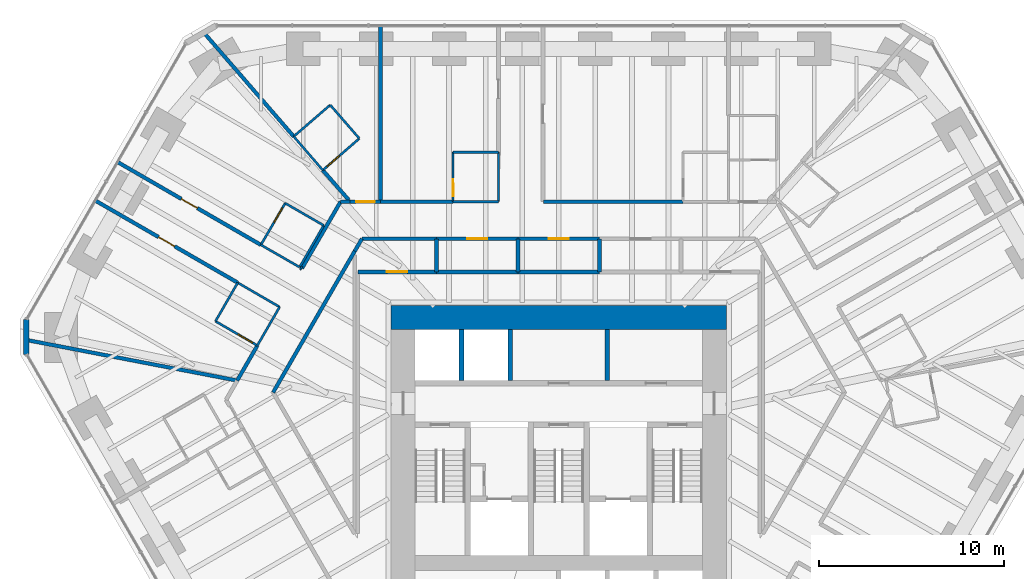
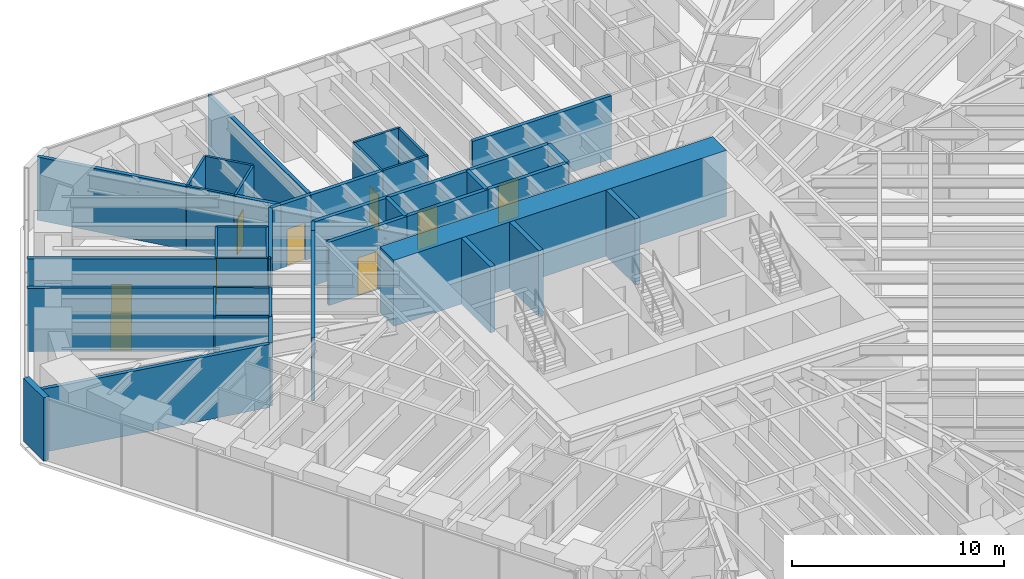
# One storey, part 14 of 17: 45 walls, 10 doors, 10 openings.
"""IFC4 building model written with IfcOpenShell, lengths in metres."""

from ifc_helpers import new_model, si_unit, direction, frame, frame_2d, origin, place, context, subcontext, project, spatial, rectangle, extrude, material, layer, layer_set, type_object, element, fill, save


model = new_model("IFC4")

# Units and contexts
model_context = context("Model", 3, precision=1e-05, world=origin(), true_north=direction((0.0, 1.0)))
body_context = subcontext(model_context, "Body", "Model", "MODEL_VIEW")
ifc_project = project(units=[si_unit("LENGTHUNIT", "METRE"), si_unit("AREAUNIT", "SQUARE_METRE"), si_unit("VOLUMEUNIT", "CUBIC_METRE"), si_unit("PLANEANGLEUNIT", "RADIAN"), si_unit("MASSUNIT", "GRAM", prefix="KILO")], contexts=[model_context])

# Site, building, storey
site_placement = place(None, origin())
site = spatial("IfcSite", under=ifc_project, at=site_placement, CompositionType="ELEMENT")
building_placement = place(site_placement, origin())
building = spatial("IfcBuilding", under=site, at=building_placement, Name="Sandreach Pilgrim Tower", CompositionType="ELEMENT")
storey_placement = place(building_placement, frame((0.0, 0.0, 108.199951171875)))
storey = spatial("IfcBuildingStorey", under=building, at=storey_placement, Name="L26", CompositionType="ELEMENT", Elevation=108.199951171875)

# Wall, opening, door
ifc_material_1 = material(Name="Moisture-resistant gypsum board on steel studs", Category="steel")
ifc_layer_1 = layer(ifc_material_1, 0.1201171875)
ifc_layer_set_1 = layer_set([ifc_layer_1], Name="Bathroom partition 120")
wall_type_1 = type_object("IfcWallType", Name="Bathroom partition 120", PredefinedType="PARTITIONING", material=ifc_layer_set_1)
wall_1_placement = place(storey_placement, frame((-18.52001953125, 6.5400390625, 0.0), z_axis=(0.0, 0.0, 1.0), x_axis=(0.865155281359, -0.50150407689, 0.0)))
wall_1 = element("IfcWall", 1, at=wall_1_placement, inside=storey, type_object=wall_type_1, Name="Bathroom partition L26-012", PredefinedType="PARTITIONING", context=body_context, shape_type="SweptSolid", body=[
    extrude(rectangle(XDim=2.6123046875, YDim=0.1201171875, at=frame_2d((1.30615234375, 0.0))), origin(), (0.0, 0.0, 1.0), 3.64013671875),
])
opening_1_placement = place(wall_1_placement, frame((1.412109375, 0.0, 0.0)))
opening_1 = element("IfcOpeningElement", 2, at=opening_1_placement, cuts=wall_1, Name="Opening D09-16B", PredefinedType="OPENING", context=body_context, shape_type="SweptSolid", body=[
    extrude(rectangle(XDim=0.89990234375, YDim=2.030029296875, at=frame_2d((0.449951171875, 1.01513671875))), frame((0.0, 0.06005859375, 0.0), z_axis=(0.0, -1.0, 0.0), x_axis=(1.0, 0.0, 0.0)), (0.0, 0.0, 1.0), 0.1201171875),
])
ifc_material_2 = material(Name="Timber door, steel frame", Category="steel")
door_type_1 = type_object("IfcDoorType", Name="Bathroom door", OperationType="SINGLE_SWING_LEFT", PredefinedType="DOOR", material=ifc_material_2)
door_1_placement = place(opening_1_placement, origin())
door_1 = element("IfcDoor", 3, at=door_1_placement, inside=storey, type_object=door_type_1, Name="Door 2616B", OperationType="SINGLE_SWING_RIGHT", OverallHeight=2.030029296875, OverallWidth=0.89990234375, PredefinedType="DOOR", context=body_context, shape_type="SweptSolid", body=[
    extrude(rectangle(XDim=0.89990234375, YDim=2.030029296875, at=frame_2d((0.449951171875, 1.01513671875))), frame((0.0, 0.02490234375, 0.0), z_axis=(0.0, -1.0, 0.0), x_axis=(1.0, 0.0, 0.0)), (0.0, 0.0, 1.0), 0.050048828125),
])
fill(opening_1, door_1)

# Walls
wall_2_placement = place(storey_placement, frame((-17.320068359375, 8.6201171875, 0.0), z_axis=(0.0, 0.0, 1.0), x_axis=(-0.499693115345, -0.866202511239, 0.0)))
element("IfcWall", 4, at=wall_2_placement, inside=storey, type_object=wall_type_1, Name="Bathroom partition L26-020", PredefinedType="PARTITIONING", context=body_context, shape_type="SweptSolid", body=[
    extrude(rectangle(XDim=2.4013671875, YDim=0.1201171875, at=frame_2d((1.20068359375, 0.0))), origin(), (0.0, 0.0, 1.0), 3.64013671875),
])
wall_3_placement = place(storey_placement, frame((-17.320068359375, 8.6201171875, 0.0), z_axis=(0.0, 0.0, 1.0), x_axis=(0.865155281359, -0.50150407689, 0.0)))
element("IfcWall", 5, at=wall_3_placement, inside=storey, type_object=wall_type_1, Name="Bathroom partition L26-021", PredefinedType="PARTITIONING", context=body_context, shape_type="SweptSolid", body=[
    extrude(rectangle(XDim=2.6123046875, YDim=0.1201171875, at=frame_2d((1.30615234375, 0.0))), origin(), (0.0, 0.0, 1.0), 3.64013671875),
])
wall_4_placement = place(storey_placement, frame((-16.261474609375, 5.23095703125, 0.0), z_axis=(0.0, 0.0, 1.0), x_axis=(0.500326720225, 0.865836689583, 0.0)))
element("IfcWall", 6, at=wall_4_placement, inside=storey, type_object=wall_type_1, Name="Bathroom partition L26-023", PredefinedType="PARTITIONING", context=body_context, shape_type="SweptSolid", body=[
    extrude(rectangle(XDim=2.4013671875, YDim=0.1201171875, at=frame_2d((1.20068359375, 0.0))), origin(), (0.0, 0.0, 1.0), 3.64013671875),
])
wall_5_placement = place(storey_placement, frame((-16.070068359375, 10.659912109375, 0.0), z_axis=(0.0, 0.0, 1.0), x_axis=(0.866987280299, -0.498330267795, 0.0)))
element("IfcWall", 7, at=wall_5_placement, inside=storey, type_object=wall_type_1, Name="Bathroom partition L26-024", PredefinedType="PARTITIONING", context=body_context, shape_type="SweptSolid", body=[
    extrude(rectangle(XDim=2.409912109375, YDim=0.1201171875, at=frame_2d((1.205078125, 0.0))), origin(), (0.0, 0.0, 1.0), 3.64013671875),
])

# Wall, opening, door
wall_6_placement = place(storey_placement, frame((-14.760009765625, 12.909912109375, 0.0), z_axis=(0.0, 0.0, 1.0), x_axis=(-0.503171227198, -0.864186736834, 0.0)))
wall_6 = element("IfcWall", 8, at=wall_6_placement, inside=storey, type_object=wall_type_1, Name="Bathroom partition L26-027", PredefinedType="PARTITIONING", context=body_context, shape_type="SweptSolid", body=[
    extrude(rectangle(XDim=2.603515625, YDim=0.1201171875, at=frame_2d((1.3017578125, 0.0))), origin(), (0.0, 0.0, 1.0), 3.64013671875),
])
opening_2_placement = place(wall_6_placement, frame((0.300048828125, 0.0, 0.0)))
opening_2 = element("IfcOpeningElement", 9, at=opening_2_placement, cuts=wall_6, Name="Opening D09-17B", PredefinedType="OPENING", context=body_context, shape_type="SweptSolid", body=[
    extrude(rectangle(XDim=0.89990234375, YDim=2.030029296875, at=frame_2d((0.449951171875, 1.01513671875))), frame((0.0, 0.06005859375, 0.0), z_axis=(0.0, -1.0, 0.0), x_axis=(1.0, 0.0, 0.0)), (0.0, 0.0, 1.0), 0.1201171875),
])
door_2_placement = place(opening_2_placement, origin())
door_2 = element("IfcDoor", 10, at=door_2_placement, inside=storey, type_object=door_type_1, Name="Door 2617B", OperationType="SINGLE_SWING_LEFT", OverallHeight=2.030029296875, OverallWidth=0.89990234375, PredefinedType="DOOR", context=body_context, shape_type="SweptSolid", body=[
    extrude(rectangle(XDim=0.89990234375, YDim=2.030029296875, at=frame_2d((0.449951171875, 1.01513671875))), frame((0.0, 0.02490234375, 0.0), z_axis=(0.0, -1.0, 0.0), x_axis=(1.0, 0.0, 0.0)), (0.0, 0.0, 1.0), 0.050048828125),
])
fill(opening_2, door_2)

# Walls
wall_7_placement = place(storey_placement, frame((-14.300048828125, 16.510009765625, 0.0), z_axis=(0.0, 0.0, 1.0), x_axis=(0.653188728136, -0.757195143563, 0.0)))
element("IfcWall", 11, at=wall_7_placement, inside=storey, type_object=wall_type_1, Name="Bathroom partition L26-028", PredefinedType="PARTITIONING", context=body_context, shape_type="SweptSolid", body=[
    extrude(rectangle(XDim=2.40380859375, YDim=0.1201171875, at=frame_2d((1.201904296875, 0.0))), origin(), (0.0, 0.0, 1.0), 3.64013671875),
])
wall_8_placement = place(storey_placement, frame((-13.97998046875, 9.4599609375, 0.0), z_axis=(0.0, 0.0, 1.0), x_axis=(0.500291685314, 0.865856933682, 0.0)))
element("IfcWall", 12, at=wall_8_placement, inside=storey, type_object=wall_type_1, Name="Bathroom partition L26-030", PredefinedType="PARTITIONING", context=body_context, shape_type="SweptSolid", body=[
    extrude(rectangle(XDim=2.5986328125, YDim=0.1201171875, at=frame_2d((1.29931640625, 0.0))), origin(), (0.0, 0.0, 1.0), 3.64013671875),
])

# Wall, opening, door
wall_9_placement = place(storey_placement, frame((-12.72998046875, 14.68994140625, 0.0), z_axis=(0.0, 0.0, 1.0), x_axis=(0.755185511235, 0.655511131576, 0.0)))
wall_9 = element("IfcWall", 13, at=wall_9_placement, inside=storey, type_object=wall_type_1, Name="Bathroom partition L26-035", PredefinedType="PARTITIONING", context=body_context, shape_type="SweptSolid", body=[
    extrude(rectangle(XDim=2.608642578125, YDim=0.1201171875, at=frame_2d((1.30419921875, 0.0))), origin(), (0.0, 0.0, 1.0), 3.64013671875),
])
opening_3_placement = place(wall_9_placement, frame((0.300048828125, 0.0, 0.0)))
opening_3 = element("IfcOpeningElement", 14, at=opening_3_placement, cuts=wall_9, Name="Opening D09-01B", PredefinedType="OPENING", context=body_context, shape_type="SweptSolid", body=[
    extrude(rectangle(XDim=0.89990234375, YDim=2.030029296875, at=frame_2d((0.449951171875, 1.01513671875))), frame((0.0, 0.06005859375, 0.0), z_axis=(0.0, -1.0, 0.0), x_axis=(1.0, 0.0, 0.0)), (0.0, 0.0, 1.0), 0.1201171875),
])
door_3_placement = place(opening_3_placement, origin())
door_3 = element("IfcDoor", 15, at=door_3_placement, inside=storey, type_object=door_type_1, Name="Door 2601B", OperationType="SINGLE_SWING_LEFT", OverallHeight=2.030029296875, OverallWidth=0.89990234375, PredefinedType="DOOR", context=body_context, shape_type="SweptSolid", body=[
    extrude(rectangle(XDim=0.89990234375, YDim=2.030029296875, at=frame_2d((0.449951171875, 1.01513671875))), frame((0.0, 0.02490234375, 0.0), z_axis=(0.0, -1.0, 0.0), x_axis=(1.0, 0.0, 0.0)), (0.0, 0.0, 1.0), 0.050048828125),
])
fill(opening_3, door_3)

# Walls
wall_10_placement = place(storey_placement, frame((-12.679931640625, 11.7099609375, 0.0), z_axis=(0.0, 0.0, 1.0), x_axis=(-0.866202511239, 0.499693115345, 0.0)))
element("IfcWall", 16, at=wall_10_placement, inside=storey, type_object=wall_type_1, Name="Bathroom partition L26-036", PredefinedType="PARTITIONING", context=body_context, shape_type="SweptSolid", body=[
    extrude(rectangle(XDim=2.4013671875, YDim=0.1201171875, at=frame_2d((1.20068359375, 0.0))), origin(), (0.0, 0.0, 1.0), 3.64013671875),
])
wall_11_placement = place(storey_placement, frame((-12.330078125, 18.2099609375, 0.0), z_axis=(0.0, 0.0, 1.0), x_axis=(-0.757086659925, -0.653314464377, 0.0)))
element("IfcWall", 17, at=wall_11_placement, inside=storey, type_object=wall_type_1, Name="Bathroom partition L26-037", PredefinedType="PARTITIONING", context=body_context, shape_type="SweptSolid", body=[
    extrude(rectangle(XDim=2.60205078125, YDim=0.1201171875, at=frame_2d((1.301025390625, 0.0))), origin(), (0.0, 0.0, 1.0), 3.64013671875),
])
wall_12_placement = place(storey_placement, frame((-10.760009765625, 16.39990234375, 0.0), z_axis=(0.0, 0.0, 1.0), x_axis=(-0.655252439976, 0.755409981338, 0.0)))
element("IfcWall", 18, at=wall_12_placement, inside=storey, type_object=wall_type_1, Name="Bathroom partition L26-046", PredefinedType="PARTITIONING", context=body_context, shape_type="SweptSolid", body=[
    extrude(rectangle(XDim=2.396240234375, YDim=0.1201171875, at=frame_2d((1.1982421875, 0.0))), origin(), (0.0, 0.0, 1.0), 3.64013671875),
])

# Wall, opening, door
wall_13_placement = place(storey_placement, frame((-5.7099609375, 15.659912109375, 0.0), z_axis=(0.0, 0.0, 1.0), x_axis=(0.003749059241, -0.999992972253, 0.0)))
wall_13 = element("IfcWall", 19, at=wall_13_placement, inside=storey, type_object=wall_type_1, Name="Bathroom partition L26-062", PredefinedType="PARTITIONING", context=body_context, shape_type="SweptSolid", body=[
    extrude(rectangle(XDim=2.669921875, YDim=0.1201171875, at=frame_2d((1.3349609375, 0.0))), origin(), (0.0, 0.0, 1.0), 3.64013671875),
])
opening_4_placement = place(wall_13_placement, frame((1.469970703125, 0.0, 0.0)))
opening_4 = element("IfcOpeningElement", 20, at=opening_4_placement, cuts=wall_13, Name="Opening D09-02B", PredefinedType="OPENING", context=body_context, shape_type="SweptSolid", body=[
    extrude(rectangle(XDim=0.89990234375, YDim=2.030029296875, at=frame_2d((0.449951171875, 1.01513671875))), frame((0.0, 0.06005859375, 0.0), z_axis=(0.0, -1.0, 0.0), x_axis=(1.0, 0.0, 0.0)), (0.0, 0.0, 1.0), 0.1201171875),
])
door_4_placement = place(opening_4_placement, origin())
door_4 = element("IfcDoor", 21, at=door_4_placement, inside=storey, type_object=door_type_1, Name="Door 2602B", OperationType="SINGLE_SWING_RIGHT", OverallHeight=2.030029296875, OverallWidth=0.89990234375, PredefinedType="DOOR", context=body_context, shape_type="SweptSolid", body=[
    extrude(rectangle(XDim=0.89990234375, YDim=2.030029296875, at=frame_2d((0.449951171875, 1.01513671875))), frame((0.0, 0.02490234375, 0.0), z_axis=(0.0, -1.0, 0.0), x_axis=(1.0, 0.0, 0.0)), (0.0, 0.0, 1.0), 0.050048828125),
])
fill(opening_4, door_4)

# Walls
wall_14_placement = place(storey_placement, frame((-3.25, 12.989990234375, 0.0), z_axis=(0.0, 0.0, 1.0), x_axis=(-1.0, 0.0, 0.0)))
element("IfcWall", 22, at=wall_14_placement, inside=storey, type_object=wall_type_1, Name="Bathroom partition L26-070", PredefinedType="PARTITIONING", context=body_context, shape_type="SweptSolid", body=[
    extrude(rectangle(XDim=2.449951171875, YDim=0.1201171875, at=frame_2d((1.22509765625, 0.0))), origin(), (0.0, 0.0, 1.0), 3.64013671875),
])
wall_15_placement = place(storey_placement, frame((-3.25, 15.659912109375, 0.0), z_axis=(0.0, 0.0, 1.0), x_axis=(-1.0, 0.0, 0.0)))
element("IfcWall", 23, at=wall_15_placement, inside=storey, type_object=wall_type_1, Name="Bathroom partition L26-071", PredefinedType="PARTITIONING", context=body_context, shape_type="SweptSolid", body=[
    extrude(rectangle(XDim=2.4599609375, YDim=0.1201171875, at=frame_2d((1.22998046875, 0.0))), origin(), (0.0, 0.0, 1.0), 3.64013671875),
])
wall_16_placement = place(storey_placement, frame((-3.25, 15.659912109375, 0.0), z_axis=(0.0, 0.0, 1.0), x_axis=(0.0, -1.0, 0.0)))
element("IfcWall", 24, at=wall_16_placement, inside=storey, type_object=wall_type_1, Name="Bathroom partition L26-072", PredefinedType="PARTITIONING", context=body_context, shape_type="SweptSolid", body=[
    extrude(rectangle(XDim=2.669921875, YDim=0.1201171875, at=frame_2d((1.3349609375, 0.0))), origin(), (0.0, 0.0, 1.0), 3.64013671875),
])
ifc_material_3 = material(Name="Concrete 10000 psi", Category="concrete")
ifc_layer_2 = layer(ifc_material_3, 1.300048828125)
ifc_layer_set_2 = layer_set([ifc_layer_2], Name="Core wall 1300")
wall_type_2 = type_object("IfcWallType", Name="Core wall 1300", PredefinedType="SHEAR", material=ifc_layer_set_2)
wall_17_placement = place(storey_placement, frame((-9.050048828125, 6.75, 0.0), z_axis=(0.0, 0.0, 1.0), x_axis=(1.0, 0.0, 0.0)))
element("IfcWall", 25, at=wall_17_placement, inside=storey, type_object=wall_type_2, Name="Core wall N L26", PredefinedType="SHEAR", context=body_context, shape_type="SweptSolid", body=[
    extrude(rectangle(XDim=18.10009765625, YDim=1.300048828125, at=frame_2d((9.050048828125, 0.0))), origin(), (0.0, 0.0, 1.0), 3.800048828125),
])

# Wall, opening, door
ifc_material_4 = material(Name="Gypsum board on steel studs, two layers each side", Category="steel")
ifc_layer_3 = layer(ifc_material_4, 0.199951171875)
ifc_layer_set_3 = layer_set([ifc_layer_3], Name="Corridor wall 200")
wall_type_3 = type_object("IfcWallType", Name="Corridor wall 200", PredefinedType="PARTITIONING", material=ifc_layer_set_3)
wall_18_placement = place(storey_placement, frame((-24.993896484375, 13.044921875, 0.0), z_axis=(0.0, 0.0, 1.0), x_axis=(0.866303025974, -0.499518835669, 0.0)))
wall_18 = element("IfcWall", 26, at=wall_18_placement, inside=storey, type_object=wall_type_3, Name="Corridor wall L26-002", PredefinedType="PARTITIONING", context=body_context, shape_type="SweptSolid", body=[
    extrude(rectangle(XDim=8.858154296875, YDim=0.199951171875, at=frame_2d((4.42919921875, 0.0))), origin(), (0.0, 0.0, 1.0), 3.64013671875),
])
opening_5_placement = place(wall_18_placement, frame((3.92919921875, 0.0, 0.0)))
opening_5 = element("IfcOpeningElement", 27, at=opening_5_placement, cuts=wall_18, Name="Opening D10-16", PredefinedType="OPENING", context=body_context, shape_type="SweptSolid", body=[
    extrude(rectangle(XDim=1.0, YDim=2.1298828125, at=frame_2d((0.5, 1.06494140625))), frame((0.0, 0.10009765625, 0.0), z_axis=(0.0, -1.0, 0.0), x_axis=(1.0, 0.0, 0.0)), (0.0, 0.0, 1.0), 0.199951171875),
])
ifc_material_5 = material(Name="Steel door and frame", Category="steel")
door_type_2 = type_object("IfcDoorType", Name="Guest room entry door", OperationType="SINGLE_SWING_LEFT", PredefinedType="DOOR", material=ifc_material_5)
door_5_placement = place(opening_5_placement, origin())
door_5 = element("IfcDoor", 28, at=door_5_placement, inside=storey, type_object=door_type_2, Name="Door 2616", OperationType="SINGLE_SWING_LEFT", OverallHeight=2.1298828125, OverallWidth=1.0, PredefinedType="DOOR", context=body_context, shape_type="SweptSolid", body=[
    extrude(rectangle(XDim=1.0, YDim=2.1298828125, at=frame_2d((0.5, 1.06494140625))), frame((0.0, 0.02490234375, 0.0), z_axis=(0.0, -1.0, 0.0), x_axis=(1.0, 0.0, 0.0)), (0.0, 0.0, 1.0), 0.050048828125),
])
fill(opening_5, door_5)

wall_19_placement = place(storey_placement, frame((-23.7939453125, 15.125, 0.0), z_axis=(0.0, 0.0, 1.0), x_axis=(0.865748355596, -0.500479554809, 0.0)))
wall_19 = element("IfcWall", 29, at=wall_19_placement, inside=storey, type_object=wall_type_3, Name="Corridor wall L26-004", PredefinedType="PARTITIONING", context=body_context, shape_type="SweptSolid", body=[
    extrude(rectangle(XDim=8.921630859375, YDim=0.199951171875, at=frame_2d((4.4609375, 0.0))), origin(), (0.0, 0.0, 1.0), 3.64013671875),
])
opening_6_placement = place(wall_19_placement, frame((3.960693359375, 0.0, 0.0)))
opening_6 = element("IfcOpeningElement", 30, at=opening_6_placement, cuts=wall_19, Name="Opening D10-17", PredefinedType="OPENING", context=body_context, shape_type="SweptSolid", body=[
    extrude(rectangle(XDim=1.0, YDim=2.1298828125, at=frame_2d((0.5, 1.06494140625))), frame((0.0, 0.10009765625, 0.0), z_axis=(0.0, -1.0, 0.0), x_axis=(1.0, 0.0, 0.0)), (0.0, 0.0, 1.0), 0.199951171875),
])
door_6_placement = place(opening_6_placement, origin())
door_6 = element("IfcDoor", 31, at=door_6_placement, inside=storey, type_object=door_type_2, Name="Door 2617", OperationType="SINGLE_SWING_LEFT", OverallHeight=2.1298828125, OverallWidth=1.0, PredefinedType="DOOR", context=body_context, shape_type="SweptSolid", body=[
    extrude(rectangle(XDim=1.0, YDim=2.1298828125, at=frame_2d((0.5, 1.06494140625))), frame((0.0, 0.02490234375, 0.0), z_axis=(0.0, -1.0, 0.0), x_axis=(1.0, 0.0, 0.0)), (0.0, 0.0, 1.0), 0.050048828125),
])
fill(opening_6, door_6)

# Walls
wall_20_placement = place(storey_placement, frame((-17.35009765625, 3.340087890625, 0.0), z_axis=(0.0, 0.0, 1.0), x_axis=(0.499641723021, 0.866232156305, 0.0)))
element("IfcWall", 32, at=wall_20_placement, inside=storey, type_object=wall_type_3, Name="Corridor wall L26-019", PredefinedType="PARTITIONING", context=body_context, shape_type="SweptSolid", body=[
    extrude(rectangle(XDim=2.181640625, YDim=0.199951171875, at=frame_2d((1.0908203125, 0.0))), origin(), (0.0, 0.0, 1.0), 3.64013671875),
])
wall_21_placement = place(storey_placement, frame((-15.409912109375, 2.699951171875, 0.0), z_axis=(0.0, 0.0, 1.0), x_axis=(0.500036278648, 0.866004457284, 0.0)))
element("IfcWall", 33, at=wall_21_placement, inside=storey, type_object=wall_type_3, Name="Corridor wall L26-026", PredefinedType="PARTITIONING", context=body_context, shape_type="SweptSolid", body=[
    extrude(rectangle(XDim=8.799072265625, YDim=0.199951171875, at=frame_2d((4.3994140625, 0.0))), origin(), (0.0, 0.0, 1.0), 3.64013671875),
])
wall_22_placement = place(storey_placement, frame((-13.937255859375, 9.43408203125, 0.0), z_axis=(0.0, 0.0, 1.0), x_axis=(0.867735735179, -0.497025848315, 0.0)))
element("IfcWall", 34, at=wall_22_placement, inside=storey, type_object=wall_type_3, Name="Corridor wall L26-031", PredefinedType="PARTITIONING", context=body_context, shape_type="SweptSolid", body=[
    extrude(rectangle(XDim=0.0888671875, YDim=0.199951171875, at=frame_2d((0.04443359375, 0.0))), origin(), (0.0, 0.0, 1.0), 3.64013671875),
])
wall_23_placement = place(storey_placement, frame((-11.77001953125, 12.989990234375, 0.0), z_axis=(0.0, 0.0, 1.0), x_axis=(-0.502083167097, -0.864819341434, 0.0)))
element("IfcWall", 35, at=wall_23_placement, inside=storey, type_object=wall_type_3, Name="Corridor wall L26-038", PredefinedType="PARTITIONING", context=body_context, shape_type="SweptSolid", body=[
    extrude(rectangle(XDim=4.162841796875, YDim=0.199951171875, at=frame_2d((2.08154296875, 0.0))), origin(), (0.0, 0.0, 1.0), 3.64013671875),
])
wall_24_placement = place(storey_placement, frame((-11.25, 12.989990234375, 0.0), z_axis=(0.0, 0.0, 1.0), x_axis=(-1.0, 0.0, 0.0)))
element("IfcWall", 36, at=wall_24_placement, inside=storey, type_object=wall_type_3, Name="Corridor wall L26-040", PredefinedType="PARTITIONING", context=body_context, shape_type="SweptSolid", body=[
    extrude(rectangle(XDim=0.52001953125, YDim=0.199951171875, at=frame_2d((0.260009765625, 0.0))), origin(), (0.0, 0.0, 1.0), 3.64013671875),
])
wall_25_placement = place(storey_placement, frame((-11.010009765625, 10.320068359375, 0.0), z_axis=(0.0, 0.0, 1.0), x_axis=(0.503009091795, 0.864281119527, 0.0)))
element("IfcWall", 37, at=wall_25_placement, inside=storey, type_object=wall_type_3, Name="Corridor wall L26-043", PredefinedType="PARTITIONING", context=body_context, shape_type="SweptSolid", body=[
    extrude(rectangle(XDim=0.775146484375, YDim=0.199951171875, at=frame_2d((0.3876953125, 0.0))), origin(), (0.0, 0.0, 1.0), 3.64013671875),
])
wall_26_placement = place(storey_placement, frame((-10.6201171875, 10.989990234375, 0.0), z_axis=(0.0, 0.0, 1.0), x_axis=(1.0, 0.0, 0.0)))
element("IfcWall", 38, at=wall_26_placement, inside=storey, type_object=wall_type_3, Name="Corridor wall L26-047", PredefinedType="PARTITIONING", context=body_context, shape_type="SweptSolid", body=[
    extrude(rectangle(XDim=4.02001953125, YDim=0.199951171875, at=frame_2d((2.010009765625, 0.0))), origin(), (0.0, 0.0, 1.0), 3.64013671875),
])

# Wall, opening, door
wall_27_placement = place(storey_placement, frame((-9.6201171875, 12.989990234375, 0.0), z_axis=(0.0, 0.0, 1.0), x_axis=(-1.0, 0.0, 0.0)))
wall_27 = element("IfcWall", 39, at=wall_27_placement, inside=storey, type_object=wall_type_3, Name="Corridor wall L26-049", PredefinedType="PARTITIONING", context=body_context, shape_type="SweptSolid", body=[
    extrude(rectangle(XDim=1.6298828125, YDim=0.199951171875, at=frame_2d((0.81494140625, 0.0))), origin(), (0.0, 0.0, 1.0), 3.64013671875),
])
opening_7_placement = place(wall_27_placement, frame((0.31494140625, 0.0, 0.0)))
opening_7 = element("IfcOpeningElement", 40, at=opening_7_placement, cuts=wall_27, Name="Opening D10-01", PredefinedType="OPENING", context=body_context, shape_type="SweptSolid", body=[
    extrude(rectangle(XDim=1.0, YDim=2.1298828125, at=frame_2d((0.5, 1.06494140625))), frame((0.0, 0.10009765625, 0.0), z_axis=(0.0, -1.0, 0.0), x_axis=(1.0, 0.0, 0.0)), (0.0, 0.0, 1.0), 0.199951171875),
])
door_7_placement = place(opening_7_placement, origin())
door_7 = element("IfcDoor", 41, at=door_7_placement, inside=storey, type_object=door_type_2, Name="Door 2601", OperationType="SINGLE_SWING_LEFT", OverallHeight=2.1298828125, OverallWidth=1.0, PredefinedType="DOOR", context=body_context, shape_type="SweptSolid", body=[
    extrude(rectangle(XDim=1.0, YDim=2.1298828125, at=frame_2d((0.5, 1.06494140625))), frame((0.0, 0.02490234375, 0.0), z_axis=(0.0, -1.0, 0.0), x_axis=(1.0, 0.0, 0.0)), (0.0, 0.0, 1.0), 0.050048828125),
])
fill(opening_7, door_7)

wall_28_placement = place(storey_placement, frame((-6.60009765625, 9.199951171875, 0.0), z_axis=(0.0, 0.0, 1.0), x_axis=(-1.0, 0.0, 0.0)))
wall_28 = element("IfcWall", 42, at=wall_28_placement, inside=storey, type_object=wall_type_3, Name="Corridor wall L26-058", PredefinedType="PARTITIONING", context=body_context, shape_type="SweptSolid", body=[
    extrude(rectangle(XDim=4.239990234375, YDim=0.199951171875, at=frame_2d((2.1201171875, 0.0))), origin(), (0.0, 0.0, 1.0), 3.64013671875),
])
opening_8_placement = place(wall_28_placement, frame((1.570068359375, 0.0, 0.0)))
opening_8 = element("IfcOpeningElement", 43, at=opening_8_placement, cuts=wall_28, Name="Opening D11H-M02", PredefinedType="OPENING", context=body_context, shape_type="SweptSolid", body=[
    extrude(rectangle(XDim=1.10009765625, YDim=2.199951171875, at=frame_2d((0.550048828125, 1.10009765625))), frame((0.0, 0.10009765625, 0.0), z_axis=(0.0, -1.0, 0.0), x_axis=(1.0, 0.0, 0.0)), (0.0, 0.0, 1.0), 0.199951171875),
])
ifc_material_6 = material(Name="Steel door and frame", Category="steel")
door_type_3 = type_object("IfcDoorType", Name="Back of house door", OperationType="SINGLE_SWING_LEFT", PredefinedType="DOOR", material=ifc_material_6)
door_8_placement = place(opening_8_placement, origin())
door_8 = element("IfcDoor", 44, at=door_8_placement, inside=storey, type_object=door_type_3, Name="Door 26M02", OperationType="SINGLE_SWING_LEFT", OverallHeight=2.199951171875, OverallWidth=1.10009765625, PredefinedType="DOOR", context=body_context, shape_type="SweptSolid", body=[
    extrude(rectangle(XDim=1.10009765625, YDim=2.199951171875, at=frame_2d((0.550048828125, 1.10009765625))), frame((0.0, 0.02490234375, 0.0), z_axis=(0.0, -1.0, 0.0), x_axis=(1.0, 0.0, 0.0)), (0.0, 0.0, 1.0), 0.050048828125),
])
fill(opening_8, door_8)

wall_29_placement = place(storey_placement, frame((-6.60009765625, 10.989990234375, 0.0), z_axis=(0.0, 0.0, 1.0), x_axis=(1.0, 0.0, 0.0)))
wall_29 = element("IfcWall", 45, at=wall_29_placement, inside=storey, type_object=wall_type_3, Name="Corridor wall L26-060", PredefinedType="PARTITIONING", context=body_context, shape_type="SweptSolid", body=[
    extrude(rectangle(XDim=4.400146484375, YDim=0.199951171875, at=frame_2d((2.2001953125, 0.0))), origin(), (0.0, 0.0, 1.0), 3.64013671875),
])
opening_9_placement = place(wall_29_placement, frame((1.64990234375, 0.0, 0.0)))
opening_9 = element("IfcOpeningElement", 46, at=opening_9_placement, cuts=wall_29, Name="Opening D11H-M03", PredefinedType="OPENING", context=body_context, shape_type="SweptSolid", body=[
    extrude(rectangle(XDim=1.10009765625, YDim=2.199951171875, at=frame_2d((0.550048828125, 1.10009765625))), frame((0.0, 0.10009765625, 0.0), z_axis=(0.0, -1.0, 0.0), x_axis=(1.0, 0.0, 0.0)), (0.0, 0.0, 1.0), 0.199951171875),
])
door_9_placement = place(opening_9_placement, origin())
door_9 = element("IfcDoor", 47, at=door_9_placement, inside=storey, type_object=door_type_3, Name="Door 26M03", OperationType="SINGLE_SWING_LEFT", OverallHeight=2.199951171875, OverallWidth=1.10009765625, PredefinedType="DOOR", context=body_context, shape_type="SweptSolid", body=[
    extrude(rectangle(XDim=1.10009765625, YDim=2.199951171875, at=frame_2d((0.550048828125, 1.10009765625))), frame((0.0, 0.02490234375, 0.0), z_axis=(0.0, -1.0, 0.0), x_axis=(1.0, 0.0, 0.0)), (0.0, 0.0, 1.0), 0.050048828125),
])
fill(opening_9, door_9)

# Walls
wall_30_placement = place(storey_placement, frame((-5.699951171875, 12.989990234375, 0.0), z_axis=(0.0, 0.0, 1.0), x_axis=(-1.0, 0.0, 0.0)))
element("IfcWall", 48, at=wall_30_placement, inside=storey, type_object=wall_type_3, Name="Corridor wall L26-063", PredefinedType="PARTITIONING", context=body_context, shape_type="SweptSolid", body=[
    extrude(rectangle(XDim=3.920166015625, YDim=0.199951171875, at=frame_2d((1.9599609375, 0.0))), origin(), (0.0, 0.0, 1.0), 3.64013671875),
])
wall_31_placement = place(storey_placement, frame((-2.199951171875, 9.199951171875, 0.0), z_axis=(0.0, 0.0, 1.0), x_axis=(-1.0, 0.0, 0.0)))
element("IfcWall", 49, at=wall_31_placement, inside=storey, type_object=wall_type_3, Name="Corridor wall L26-074", PredefinedType="PARTITIONING", context=body_context, shape_type="SweptSolid", body=[
    extrude(rectangle(XDim=4.400146484375, YDim=0.199951171875, at=frame_2d((2.2001953125, 0.0))), origin(), (0.0, 0.0, 1.0), 3.64013671875),
])

# Wall, opening, door
wall_32_placement = place(storey_placement, frame((-2.199951171875, 10.989990234375, 0.0), z_axis=(0.0, 0.0, 1.0), x_axis=(1.0, 0.0, 0.0)))
wall_32 = element("IfcWall", 50, at=wall_32_placement, inside=storey, type_object=wall_type_3, Name="Corridor wall L26-076", PredefinedType="PARTITIONING", context=body_context, shape_type="SweptSolid", body=[
    extrude(rectangle(XDim=4.39990234375, YDim=0.199951171875, at=frame_2d((2.199951171875, 0.0))), origin(), (0.0, 0.0, 1.0), 3.64013671875),
])
opening_10_placement = place(wall_32_placement, frame((1.64990234375, 0.0, 0.0)))
opening_10 = element("IfcOpeningElement", 51, at=opening_10_placement, cuts=wall_32, Name="Opening D11H-M04", PredefinedType="OPENING", context=body_context, shape_type="SweptSolid", body=[
    extrude(rectangle(XDim=1.10009765625, YDim=2.199951171875, at=frame_2d((0.550048828125, 1.10009765625))), frame((0.0, 0.10009765625, 0.0), z_axis=(0.0, -1.0, 0.0), x_axis=(1.0, 0.0, 0.0)), (0.0, 0.0, 1.0), 0.199951171875),
])
door_10_placement = place(opening_10_placement, origin())
door_10 = element("IfcDoor", 52, at=door_10_placement, inside=storey, type_object=door_type_3, Name="Door 26M04", OperationType="SINGLE_SWING_LEFT", OverallHeight=2.199951171875, OverallWidth=1.10009765625, PredefinedType="DOOR", context=body_context, shape_type="SweptSolid", body=[
    extrude(rectangle(XDim=1.10009765625, YDim=2.199951171875, at=frame_2d((0.550048828125, 1.10009765625))), frame((0.0, 0.02490234375, 0.0), z_axis=(0.0, -1.0, 0.0), x_axis=(1.0, 0.0, 0.0)), (0.0, 0.0, 1.0), 0.050048828125),
])
fill(opening_10, door_10)

# Walls
wall_33_placement = place(storey_placement, frame((2.199951171875, 9.199951171875, 0.0), z_axis=(0.0, 0.0, 1.0), x_axis=(-1.0, 0.0, 0.0)))
element("IfcWall", 53, at=wall_33_placement, inside=storey, type_object=wall_type_3, Name="Corridor wall L26-089", PredefinedType="PARTITIONING", context=body_context, shape_type="SweptSolid", body=[
    extrude(rectangle(XDim=4.39990234375, YDim=0.199951171875, at=frame_2d((2.199951171875, 0.0))), origin(), (0.0, 0.0, 1.0), 3.64013671875),
])
wall_34_placement = place(storey_placement, frame((6.7099609375, 12.989990234375, 0.0), z_axis=(0.0, 0.0, 1.0), x_axis=(-1.0, 0.0, 0.0)))
element("IfcWall", 54, at=wall_34_placement, inside=storey, type_object=wall_type_3, Name="Corridor wall L26-102", PredefinedType="PARTITIONING", context=body_context, shape_type="SweptSolid", body=[
    extrude(rectangle(XDim=7.544921875, YDim=0.199951171875, at=frame_2d((3.7724609375, 0.0))), origin(), (0.0, 0.0, 1.0), 3.64013671875),
])
ifc_material_7 = material(Name="Double steel stud acoustic wall, gypsum board", Category="steel")
ifc_layer_4 = layer(ifc_material_7, 0.199951171875)
ifc_layer_set_4 = layer_set([ifc_layer_4], Name="Party wall 200")
wall_type_4 = type_object("IfcWallType", Name="Party wall 200", PredefinedType="PARTITIONING", material=ifc_layer_set_4)
wall_35_placement = place(storey_placement, frame((-28.740478515625, 5.534423828125, 0.0), z_axis=(0.0, 0.0, 1.0), x_axis=(0.981941558077, -0.189184503913, 0.0)))
element("IfcWall", 55, at=wall_35_placement, inside=storey, type_object=wall_type_4, Name="Party wall L26-001", PredefinedType="PARTITIONING", context=body_context, shape_type="SweptSolid", body=[
    extrude(rectangle(XDim=11.5498046875, YDim=0.199951171875, at=frame_2d((5.77490234375, 0.0))), origin(), (0.0, 0.0, 1.0), 3.64013671875),
])
wall_36_placement = place(storey_placement, frame((-19.160400390625, 22.127197265625, 0.0), z_axis=(0.0, 0.0, 1.0), x_axis=(0.654324699903, -0.756213717871, 0.0)))
element("IfcWall", 56, at=wall_36_placement, inside=storey, type_object=wall_type_4, Name="Party wall L26-007", PredefinedType="PARTITIONING", context=body_context, shape_type="SweptSolid", body=[
    extrude(rectangle(XDim=7.427978515625, YDim=0.199951171875, at=frame_2d((3.7138671875, 0.0))), origin(), (0.0, 0.0, 1.0), 3.64013671875),
])
wall_37_placement = place(storey_placement, frame((-12.72998046875, 14.68994140625, 0.0), z_axis=(0.0, 0.0, 1.0), x_axis=(0.656624063312, -0.754218031792, 0.0)))
element("IfcWall", 57, at=wall_37_placement, inside=storey, type_object=wall_type_4, Name="Party wall L26-034", PredefinedType="PARTITIONING", context=body_context, shape_type="SweptSolid", body=[
    extrude(rectangle(XDim=2.143798828125, YDim=0.199951171875, at=frame_2d((1.07177734375, 0.0))), origin(), (0.0, 0.0, 1.0), 3.64013671875),
])
wall_38_placement = place(storey_placement, frame((-9.6201171875, 22.4599609375, 0.0), z_axis=(0.0, 0.0, 1.0), x_axis=(0.0, -1.0, 0.0)))
element("IfcWall", 58, at=wall_38_placement, inside=storey, type_object=wall_type_4, Name="Party wall L26-050", PredefinedType="PARTITIONING", context=body_context, shape_type="SweptSolid", body=[
    extrude(rectangle(XDim=9.455078125, YDim=0.199951171875, at=frame_2d((4.7275390625, 0.0))), origin(), (0.0, 0.0, 1.0), 3.64013671875),
])
for number, where, z_axis, x_axis, name in (
    (59, (-6.60009765625, 10.97998046875, 0.0), (0.0, 0.0, 1.0), (0.0, -1.0, 0.0), "Party wall L26-059"),
    (60, (-2.199951171875, 10.97998046875, 0.0), (0.0, 0.0, 1.0), (0.0, -1.0, 0.0), "Party wall L26-075"),
    (61, (2.199951171875, 10.97998046875, 0.0), (0.0, 0.0, 1.0), (0.0, -1.0, 0.0), "Party wall L26-090"),
):
    element("IfcWall", number, at=place(storey_placement, frame(where, z_axis=z_axis, x_axis=x_axis)), inside=storey, type_object=wall_type_4, Name=name, PredefinedType="PARTITIONING", context=body_context, shape_type="SweptSolid", body=[
        extrude(rectangle(XDim=1.77001953125, YDim=0.199951171875, at=frame_2d((0.885009765625, 0.0))), origin(), (0.0, 0.0, 1.0), 3.64013671875),
    ])
ifc_material_8 = material(Name="Gypsum shaft wall on steel studs, two layers of shaft liner board", Category="steel")
ifc_layer_5 = layer(ifc_material_8, 0.25)
ifc_layer_set_5 = layer_set([ifc_layer_5], Name="Shaft partition 250")
wall_type_5 = type_object("IfcWallType", Name="Shaft partition 250", PredefinedType="PARTITIONING", material=ifc_layer_set_5)
for number, where, z_axis, x_axis, name in (
    (62, (-5.25, 3.35009765625, 0.0), (0.0, 0.0, 1.0), (0.0, 1.0, 0.0), "Shaft partition NS0 L26"),
    (63, (-2.625, 3.35009765625, 0.0), (0.0, 0.0, 1.0), (0.0, 1.0, 0.0), "Shaft partition NS1 L26"),
    (64, (2.625, 3.35009765625, 0.0), (0.0, 0.0, 1.0), (0.0, 1.0, 0.0), "Shaft partition NS3 L26"),
):
    element("IfcWall", number, at=place(storey_placement, frame(where, z_axis=z_axis, x_axis=x_axis)), inside=storey, type_object=wall_type_5, Name=name, PredefinedType="PARTITIONING", context=body_context, shape_type="SweptSolid", body=[
        extrude(rectangle(XDim=2.75, YDim=0.25, at=frame_2d((1.375, 0.0))), origin(), (0.0, 0.0, 1.0), 3.800048828125),
    ])
ifc_material_9 = material(Name="Terracotta rainscreen on concrete", Category="masonry")
ifc_layer_6 = layer(ifc_material_9, 0.300048828125)
ifc_layer_set_6 = layer_set([ifc_layer_6], Name="Terracotta chamfer pier")
wall_type_6 = type_object("IfcWallType", Name="Terracotta chamfer pier", PredefinedType="SOLIDWALL", material=ifc_layer_set_6)
wall_39_placement = place(storey_placement, frame((-28.720947265625, 4.758544921875, 0.0), z_axis=(0.0, 0.0, 1.0), x_axis=(0.0, 1.0, 0.0)))
element("IfcWall", 65, at=wall_39_placement, inside=storey, type_object=wall_type_6, Name="Chamfer pier L26 SW", PredefinedType="SOLIDWALL", context=body_context, shape_type="SweptSolid", body=[
    extrude(rectangle(XDim=1.8798828125, YDim=0.300048828125, at=frame_2d((0.93994140625, 0.0))), origin(), (0.0, 0.0, 1.0), 3.64013671875),
])

save(model, "model.ifc")
